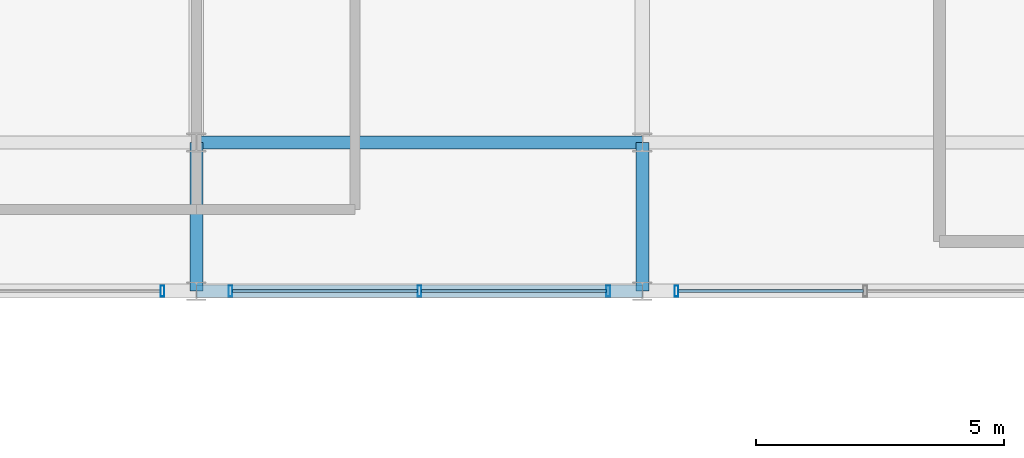
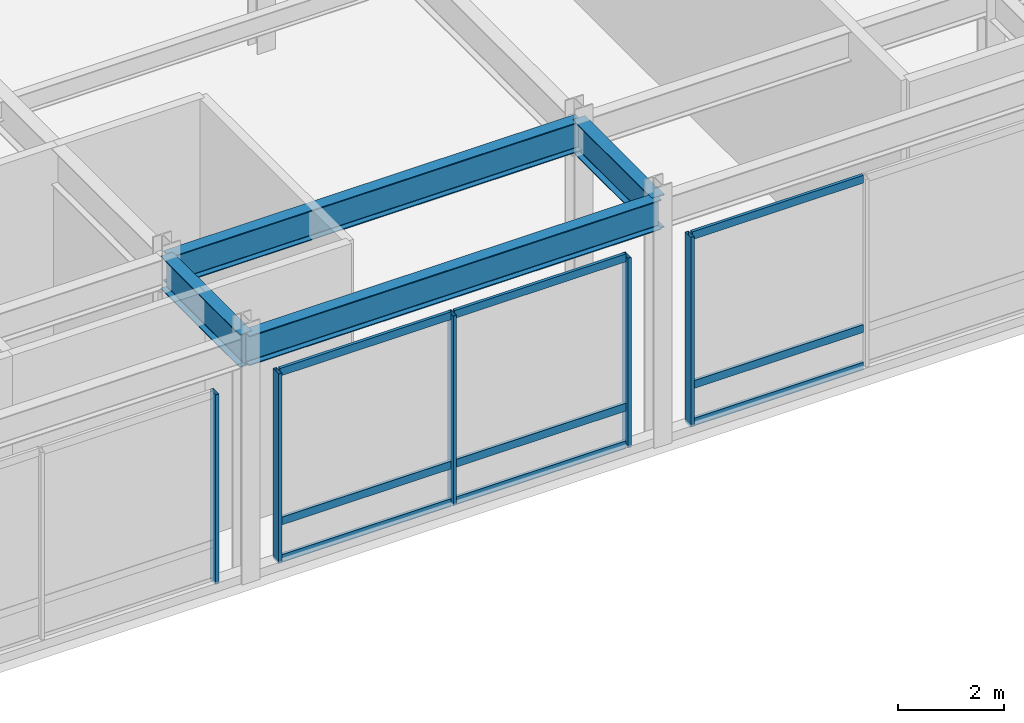
# One storey, part 70 of 108: 14 members, 4 beams, 3 elements without a shape of their own.
"""IFC4 building model written with IfcOpenShell, lengths in metres."""

from ifc_helpers import new_model, si_unit, direction, frame, origin, origin_2d, place, context, subcontext, project, spatial, hollow_rectangle, i_section, extrude, material, material_profile, profile_set, type_object, element, aggregate, save


model = new_model("IFC4")

# Units and contexts
model_context = context("Model", 3, precision=1e-05, world=origin(), true_north=direction((0.0, 1.0)))
body_context = subcontext(model_context, "Body", "Model", "MODEL_VIEW")
ifc_project = project(units=[si_unit("LENGTHUNIT", "METRE"), si_unit("AREAUNIT", "SQUARE_METRE"), si_unit("VOLUMEUNIT", "CUBIC_METRE"), si_unit("PLANEANGLEUNIT", "RADIAN"), si_unit("MASSUNIT", "GRAM", prefix="KILO")], contexts=[model_context])

# Site, building, storey
site_placement = place(None, origin())
site = spatial("IfcSite", under=ifc_project, at=site_placement, CompositionType="ELEMENT")
building_placement = place(site_placement, origin())
building = spatial("IfcBuilding", under=site, at=building_placement, Name="Kaldorvane Square Convention Centre", CompositionType="ELEMENT")
storey_placement = place(building_placement, frame((0.0, 0.0, 12.0)))
storey = spatial("IfcBuildingStorey", under=building, at=storey_placement, Name="L02", CompositionType="ELEMENT", Elevation=12.0)

# Beams
ifc_material_1 = material(Name="Steel ASTM A992 Gr. 50", Category="steel")
ifc_material_profile_1 = material_profile(ifc_material_1, i_section(OverallWidth=0.25439453125, OverallDepth=0.6880950927734375, WebThickness=0.0131072998046875, FlangeThickness=0.0211029052734375, FilletRadius=0.01519775390625, at=origin_2d()), Name="W27X102")
ifc_profile_set_1 = profile_set([ifc_material_profile_1], Name="Steel ASTM A992 Gr. 50")
beam_type_1 = type_object("IfcBeamType", Name="BM-GR-W27X102", PredefinedType="BEAM", material=ifc_profile_set_1)
for number, where, z_axis, x_axis, name in (
    (1, (147.0, 81.0, 5.3018951416015625), (1.0, 0.0, 0.0), (0.0, 1.0, 0.0), "Primary Girder (L02)"),
    (2, (147.0, 84.0, 5.3018951416015625), (1.0, 0.0, 0.0), (0.0, 1.0, 0.0), "Primary Girder (L02)"),
):
    element("IfcBeam", number, at=place(storey_placement, frame(where, z_axis=z_axis, x_axis=x_axis)), inside=storey, type_object=beam_type_1, Name=name, PredefinedType="BEAM", context=body_context, shape_type="SweptSolid", body=[
        extrude(i_section(OverallWidth=0.25439453125, OverallDepth=0.6880950927734375, WebThickness=0.0131072998046875, FlangeThickness=0.0211029052734375, FilletRadius=0.01519775390625, at=origin_2d()), origin(), (0.0, 0.0, 1.0), 9.0),
    ])
ifc_material_profile_2 = material_profile(ifc_material_1, i_section(OverallWidth=0.2666015625, OverallDepth=0.762298583984375, WebThickness=0.014404296875, FlangeThickness=0.0216064453125, FilletRadius=0.0164947509765625, at=origin_2d()), Name="W30X116")
ifc_profile_set_2 = profile_set([ifc_material_profile_2], Name="Steel ASTM A992 Gr. 50")
beam_type_2 = type_object("IfcBeamType", Name="BM-GR-W30X116", PredefinedType="BEAM", material=ifc_profile_set_2)
for number, where, z_axis, x_axis, name in (
    (3, (147.0, 81.0, 5.264801025390625), (0.0, 1.0, 0.0), (-1.0, 0.0, 0.0), "Transverse Girder (L02)"),
    (4, (156.0, 81.0, 5.264801025390625), (0.0, 1.0, 0.0), (-1.0, 0.0, 0.0), "Transverse Girder (L02)"),
):
    element("IfcBeam", number, at=place(storey_placement, frame(where, z_axis=z_axis, x_axis=x_axis)), inside=storey, type_object=beam_type_2, Name=name, PredefinedType="BEAM", context=body_context, shape_type="SweptSolid", body=[
        extrude(i_section(OverallWidth=0.2666015625, OverallDepth=0.762298583984375, WebThickness=0.014404296875, FlangeThickness=0.0216064453125, FilletRadius=0.0164947509765625, at=origin_2d()), origin(), (0.0, 0.0, 1.0), 3.0),
    ])

# Curtain wall, member
ifc_material_2 = material(Name="Anodized Aluminum and Low-E Insulated Glazing", Category="aluminium")
curtain_wall_type = type_object("IfcCurtainWallType", Name="CW-PTS-FC-60", PredefinedType="USERDEFINED", material=ifc_material_2)
curtain_wall_1_placement = place(storey_placement, origin())
curtain_wall_1 = element("IfcCurtainWall", 5, at=curtain_wall_1_placement, inside=storey, type_object=curtain_wall_type, Name="Curtain Wall CW-07 (L02)", ObjectType="POINT SUPPORTED GLAZING", PredefinedType="USERDEFINED")
ifc_material_profile_3 = material_profile(ifc_material_2, hollow_rectangle(XDim=0.0749969482421875, YDim=0.220001220703125, WallThickness=0.003997802734375, at=origin_2d()), Name="CWM-220X75")
ifc_profile_set_3 = profile_set([ifc_material_profile_3], Name="Anodized Aluminum and Low-E Insulated Glazing")
member_type_1 = type_object("IfcMemberType", Name="CW-MUL-220", PredefinedType="MULLION", material=ifc_profile_set_3)
member_1_placement = place(storey_placement, frame((146.3125, 81.0, 0.149993896484375), z_axis=(0.0, 0.0, 1.0), x_axis=(1.0, 0.0, 0.0)))
member_1 = element("IfcMember", 6, at=member_1_placement, type_object=member_type_1, Name="CW-07 mullion 3", PredefinedType="MULLION", context=body_context, shape_type="SweptSolid", body=[
    extrude(hollow_rectangle(XDim=0.0749969482421875, YDim=0.220001220703125, WallThickness=0.003997802734375, at=origin_2d()), origin(), (0.0, 0.0, 1.0), 4.3800048828125),
])
aggregate(curtain_wall_1, [member_1])

# Curtain wall, members
curtain_wall_2_placement = place(storey_placement, origin())
curtain_wall_2 = element("IfcCurtainWall", 7, at=curtain_wall_2_placement, inside=storey, type_object=curtain_wall_type, Name="Curtain Wall CW-07 (L02)", ObjectType="POINT SUPPORTED GLAZING", PredefinedType="USERDEFINED")
member_2_placement = place(storey_placement, frame((147.6875, 81.0, 0.149993896484375), z_axis=(0.0, 0.0, 1.0), x_axis=(1.0, 0.0, 0.0)))
member_2 = element("IfcMember", 8, at=member_2_placement, type_object=member_type_1, Name="CW-07 mullion 1", PredefinedType="MULLION", context=body_context, shape_type="SweptSolid", body=[
    extrude(hollow_rectangle(XDim=0.0749969482421875, YDim=0.220001220703125, WallThickness=0.003997802734375, at=origin_2d()), origin(), (0.0, 0.0, 1.0), 4.3800048828125),
])
member_3_placement = place(storey_placement, frame((151.5, 81.0, 0.149993896484375), z_axis=(0.0, 0.0, 1.0), x_axis=(1.0, 0.0, 0.0)))
member_3 = element("IfcMember", 9, at=member_3_placement, type_object=member_type_1, Name="CW-07 mullion 2", PredefinedType="MULLION", context=body_context, shape_type="SweptSolid", body=[
    extrude(hollow_rectangle(XDim=0.0749969482421875, YDim=0.220001220703125, WallThickness=0.003997802734375, at=origin_2d()), origin(), (0.0, 0.0, 1.0), 4.3800048828125),
])
member_4_placement = place(storey_placement, frame((155.3125, 81.0, 0.149993896484375), z_axis=(0.0, 0.0, 1.0), x_axis=(1.0, 0.0, 0.0)))
member_4 = element("IfcMember", 10, at=member_4_placement, type_object=member_type_1, Name="CW-07 mullion 3", PredefinedType="MULLION", context=body_context, shape_type="SweptSolid", body=[
    extrude(hollow_rectangle(XDim=0.0749969482421875, YDim=0.220001220703125, WallThickness=0.003997802734375, at=origin_2d()), origin(), (0.0, 0.0, 1.0), 4.3800048828125),
])

# Curtain wall, member
curtain_wall_3_placement = place(storey_placement, origin())
curtain_wall_3 = element("IfcCurtainWall", 11, at=curtain_wall_3_placement, inside=storey, type_object=curtain_wall_type, Name="Curtain Wall CW-07 (L02)", ObjectType="POINT SUPPORTED GLAZING", PredefinedType="USERDEFINED")
member_5_placement = place(storey_placement, frame((156.6875, 81.0, 0.149993896484375), z_axis=(0.0, 0.0, 1.0), x_axis=(1.0, 0.0, 0.0)))
member_5 = element("IfcMember", 12, at=member_5_placement, type_object=member_type_1, Name="CW-07 mullion 1", PredefinedType="MULLION", context=body_context, shape_type="SweptSolid", body=[
    extrude(hollow_rectangle(XDim=0.0749969482421875, YDim=0.220001220703125, WallThickness=0.003997802734375, at=origin_2d()), origin(), (0.0, 0.0, 1.0), 4.3800048828125),
])

# Member
ifc_material_profile_4 = material_profile(ifc_material_2, hollow_rectangle(XDim=0.06500244140625, YDim=0.17999267578125, WallThickness=0.0034942626953125, at=origin_2d()), Name="CWT-180X65")
ifc_profile_set_4 = profile_set([ifc_material_profile_4], Name="Anodized Aluminum and Low-E Insulated Glazing")
member_type_2 = type_object("IfcMemberType", Name="CW-TRN-180", PredefinedType="USERDEFINED", material=ifc_profile_set_4)
member_6_placement = place(storey_placement, frame((147.72500610351562, 81.0, 0.1824951171875), z_axis=(1.0, 0.0, 0.0), x_axis=(0.0, 1.0, 0.0)))
member_6 = element("IfcMember", 13, at=member_6_placement, type_object=member_type_2, Name="CW-07 transom 1.1", ObjectType="TRANSOM", PredefinedType="USERDEFINED", context=body_context, shape_type="SweptSolid", body=[
    extrude(hollow_rectangle(XDim=0.06500244140625, YDim=0.17999267578125, WallThickness=0.0034942626953125, at=origin_2d()), origin(), (0.0, 0.0, 1.0), 3.73748779296875),
])

member_7_placement = place(storey_placement, frame((147.72500610351562, 81.0, 1.0500030517578125), z_axis=(1.0, 0.0, 0.0), x_axis=(0.0, 1.0, 0.0)))
member_7 = element("IfcMember", 14, at=member_7_placement, type_object=member_type_2, Name="CW-07 transom 1.2", ObjectType="TRANSOM", PredefinedType="USERDEFINED", context=body_context, shape_type="SweptSolid", body=[
    extrude(hollow_rectangle(XDim=0.06500244140625, YDim=0.17999267578125, WallThickness=0.0034942626953125, at=origin_2d()), origin(), (0.0, 0.0, 1.0), 3.73748779296875),
])

member_8_placement = place(storey_placement, frame((147.72500610351562, 81.0, 4.49749755859375), z_axis=(1.0, 0.0, 0.0), x_axis=(0.0, 1.0, 0.0)))
member_8 = element("IfcMember", 15, at=member_8_placement, type_object=member_type_2, Name="CW-07 transom 1.3", ObjectType="TRANSOM", PredefinedType="USERDEFINED", context=body_context, shape_type="SweptSolid", body=[
    extrude(hollow_rectangle(XDim=0.06500244140625, YDim=0.17999267578125, WallThickness=0.0034942626953125, at=origin_2d()), origin(), (0.0, 0.0, 1.0), 3.73748779296875),
])

member_9_placement = place(storey_placement, frame((151.53750610351562, 81.0, 0.1824951171875), z_axis=(1.0, 0.0, 0.0), x_axis=(0.0, 1.0, 0.0)))
member_9 = element("IfcMember", 16, at=member_9_placement, type_object=member_type_2, Name="CW-07 transom 2.1", ObjectType="TRANSOM", PredefinedType="USERDEFINED", context=body_context, shape_type="SweptSolid", body=[
    extrude(hollow_rectangle(XDim=0.06500244140625, YDim=0.17999267578125, WallThickness=0.0034942626953125, at=origin_2d()), origin(), (0.0, 0.0, 1.0), 3.73748779296875),
])

member_10_placement = place(storey_placement, frame((151.53750610351562, 81.0, 1.0500030517578125), z_axis=(1.0, 0.0, 0.0), x_axis=(0.0, 1.0, 0.0)))
member_10 = element("IfcMember", 17, at=member_10_placement, type_object=member_type_2, Name="CW-07 transom 2.2", ObjectType="TRANSOM", PredefinedType="USERDEFINED", context=body_context, shape_type="SweptSolid", body=[
    extrude(hollow_rectangle(XDim=0.06500244140625, YDim=0.17999267578125, WallThickness=0.0034942626953125, at=origin_2d()), origin(), (0.0, 0.0, 1.0), 3.73748779296875),
])

member_11_placement = place(storey_placement, frame((151.53750610351562, 81.0, 4.49749755859375), z_axis=(1.0, 0.0, 0.0), x_axis=(0.0, 1.0, 0.0)))
member_11 = element("IfcMember", 18, at=member_11_placement, type_object=member_type_2, Name="CW-07 transom 2.3", ObjectType="TRANSOM", PredefinedType="USERDEFINED", context=body_context, shape_type="SweptSolid", body=[
    extrude(hollow_rectangle(XDim=0.06500244140625, YDim=0.17999267578125, WallThickness=0.0034942626953125, at=origin_2d()), origin(), (0.0, 0.0, 1.0), 3.73748779296875),
])

aggregate(curtain_wall_2, [member_2, member_3, member_4, member_6, member_7, member_8, member_9, member_10, member_11])

member_12_placement = place(storey_placement, frame((156.72500610351562, 81.0, 0.1824951171875), z_axis=(1.0, 0.0, 0.0), x_axis=(0.0, 1.0, 0.0)))
member_12 = element("IfcMember", 19, at=member_12_placement, type_object=member_type_2, Name="CW-07 transom 1.1", ObjectType="TRANSOM", PredefinedType="USERDEFINED", context=body_context, shape_type="SweptSolid", body=[
    extrude(hollow_rectangle(XDim=0.06500244140625, YDim=0.17999267578125, WallThickness=0.0034942626953125, at=origin_2d()), origin(), (0.0, 0.0, 1.0), 3.73748779296875),
])

member_13_placement = place(storey_placement, frame((156.72500610351562, 81.0, 1.0500030517578125), z_axis=(1.0, 0.0, 0.0), x_axis=(0.0, 1.0, 0.0)))
member_13 = element("IfcMember", 20, at=member_13_placement, type_object=member_type_2, Name="CW-07 transom 1.2", ObjectType="TRANSOM", PredefinedType="USERDEFINED", context=body_context, shape_type="SweptSolid", body=[
    extrude(hollow_rectangle(XDim=0.06500244140625, YDim=0.17999267578125, WallThickness=0.0034942626953125, at=origin_2d()), origin(), (0.0, 0.0, 1.0), 3.73748779296875),
])

member_14_placement = place(storey_placement, frame((156.72500610351562, 81.0, 4.49749755859375), z_axis=(1.0, 0.0, 0.0), x_axis=(0.0, 1.0, 0.0)))
member_14 = element("IfcMember", 21, at=member_14_placement, type_object=member_type_2, Name="CW-07 transom 1.3", ObjectType="TRANSOM", PredefinedType="USERDEFINED", context=body_context, shape_type="SweptSolid", body=[
    extrude(hollow_rectangle(XDim=0.06500244140625, YDim=0.17999267578125, WallThickness=0.0034942626953125, at=origin_2d()), origin(), (0.0, 0.0, 1.0), 3.73748779296875),
])

aggregate(curtain_wall_3, [member_5, member_12, member_13, member_14])

save(model, "model.ifc")
